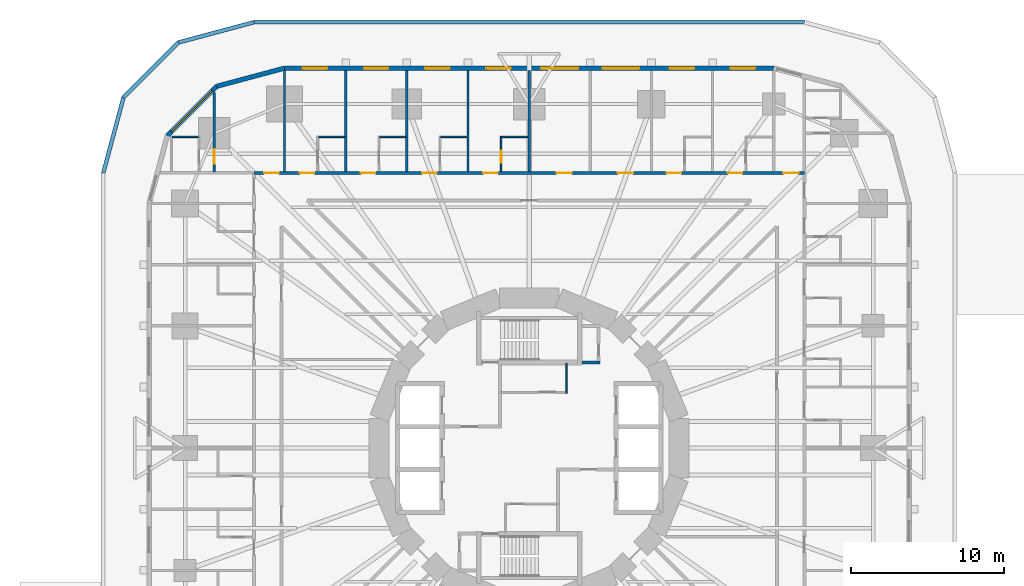
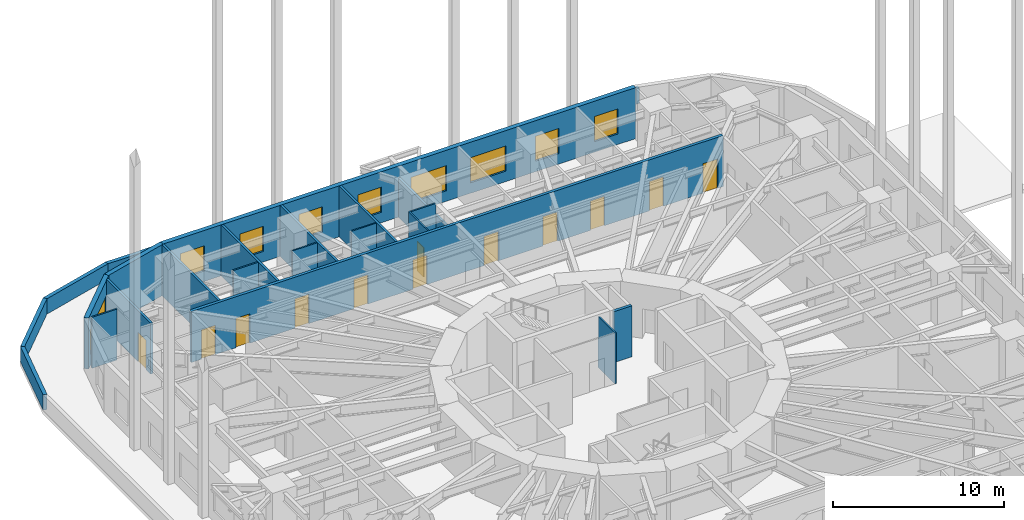
# One storey, part 10 of 13: 22 walls, 12 doors, 9 windows, 21 openings.
"""IFC4 building model written with IfcOpenShell, lengths in metres."""

from ifc_helpers import new_model, si_unit, direction, frame, frame_2d, origin, place, context, subcontext, project, spatial, rectangle, extrude, material, layer, layer_set, type_object, element, fill, save


model = new_model("IFC4")

# Units and contexts
model_context = context("Model", 3, precision=1e-05, world=origin(), true_north=direction((0.0, 1.0)))
body_context = subcontext(model_context, "Body", "Model", "MODEL_VIEW")
ifc_project = project(units=[si_unit("LENGTHUNIT", "METRE"), si_unit("AREAUNIT", "SQUARE_METRE"), si_unit("VOLUMEUNIT", "CUBIC_METRE"), si_unit("PLANEANGLEUNIT", "RADIAN"), si_unit("MASSUNIT", "GRAM", prefix="KILO")], contexts=[model_context])

# Site, building, storey
site_placement = place(None, origin())
site = spatial("IfcSite", under=ifc_project, at=site_placement, CompositionType="ELEMENT")
building_placement = place(site_placement, origin())
building = spatial("IfcBuilding", under=site, at=building_placement, Name="Nakasero Lantern House", CompositionType="ELEMENT")
storey_placement = place(building_placement, frame((0.0, 0.0, 16.0)))
storey = spatial("IfcBuildingStorey", under=building, at=storey_placement, Name="L03", CompositionType="ELEMENT", Elevation=16.0)

# Wall
ifc_material_1 = material(Name="Blockwork", Category="masonry")
ifc_layer_1 = layer(ifc_material_1, 0.10009765625)
ifc_layer_set_1 = layer_set([ifc_layer_1], Name="Core room wall 100")
wall_type_1 = type_object("IfcWallType", Name="Core room wall 100", PredefinedType="PARTITIONING", material=ifc_layer_set_1)
wall_1_placement = place(storey_placement, frame((2.449951171875, 3.60009765625, 0.0), z_axis=(0.0, 0.0, 1.0), x_axis=(0.0, 1.0, 0.0)))
element("IfcWall", 1, at=wall_1_placement, inside=storey, type_object=wall_type_1, Name="Core room wall L03 CR-NEE", PredefinedType="PARTITIONING", context=body_context, shape_type="SweptSolid", body=[
    extrude(rectangle(XDim=1.949951171875, YDim=0.10009765625, at=frame_2d((0.97509765625, 0.0))), origin(), (0.0, 0.0, 1.0), 3.64990234375),
])

# Wall, openings, doors
ifc_material_2 = material(Name="Blockwork", Category="masonry")
ifc_layer_2 = layer(ifc_material_2, 0.199951171875)
ifc_layer_set_2 = layer_set([ifc_layer_2], Name="Corridor wall 200")
wall_type_2 = type_object("IfcWallType", Name="Corridor wall 200", PredefinedType="PARTITIONING", material=ifc_layer_set_2)
wall_2_placement = place(storey_placement, frame((18.0, 18.0, 0.0), z_axis=(0.0, 0.0, 1.0), x_axis=(-1.0, 0.0, 0.0)))
wall_2 = element("IfcWall", 2, at=wall_2_placement, inside=storey, type_object=wall_type_2, Name="Corridor wall L03 CW1", PredefinedType="PARTITIONING", context=body_context, shape_type="SweptSolid", body=[
    extrude(rectangle(XDim=36.0, YDim=0.199951171875, at=frame_2d((18.0, 0.0))), origin(), (0.0, 0.0, 1.0), 3.64990234375),
])
opening_1_placement = place(wall_2_placement, frame((0.375, 0.0, 0.0)))
opening_1 = element("IfcOpeningElement", 3, at=opening_1_placement, cuts=wall_2, Name="Opening D07", PredefinedType="OPENING", context=body_context, shape_type="SweptSolid", body=[
    extrude(rectangle(XDim=1.0, YDim=2.10009765625, at=frame_2d((0.5, 1.050048828125))), frame((0.0, 0.119873046875, 0.0), z_axis=(0.0, -1.0, 0.0), x_axis=(1.0, 0.0, 0.0)), (0.0, 0.0, 1.0), 0.239990234375),
])
opening_2_placement = place(wall_2_placement, frame((4.050048828125, 0.0, 0.0)))
opening_2 = element("IfcOpeningElement", 4, at=opening_2_placement, cuts=wall_2, Name="Opening D01", PredefinedType="OPENING", context=body_context, shape_type="SweptSolid", body=[
    extrude(rectangle(XDim=0.949951171875, YDim=2.10009765625, at=frame_2d((0.47509765625, 1.050048828125))), frame((0.0, 0.119873046875, 0.0), z_axis=(0.0, -1.0, 0.0), x_axis=(1.0, 0.0, 0.0)), (0.0, 0.0, 1.0), 0.239990234375),
])
opening_3_placement = place(wall_2_placement, frame((8.050048828125, 0.0, 0.0)))
opening_3 = element("IfcOpeningElement", 5, at=opening_3_placement, cuts=wall_2, Name="Opening D01", PredefinedType="OPENING", context=body_context, shape_type="SweptSolid", body=[
    extrude(rectangle(XDim=0.949951171875, YDim=2.10009765625, at=frame_2d((0.47509765625, 1.050048828125))), frame((0.0, 0.119873046875, 0.0), z_axis=(0.0, -1.0, 0.0), x_axis=(1.0, 0.0, 0.0)), (0.0, 0.0, 1.0), 0.239990234375),
])
opening_4_placement = place(wall_2_placement, frame((20.050048828125, 0.0, 0.0)))
opening_4 = element("IfcOpeningElement", 6, at=opening_4_placement, cuts=wall_2, Name="Opening D01", PredefinedType="OPENING", context=body_context, shape_type="SweptSolid", body=[
    extrude(rectangle(XDim=0.949951171875, YDim=2.10009765625, at=frame_2d((0.47509765625, 1.050048828125))), frame((0.0, 0.119873046875, 0.0), z_axis=(0.0, -1.0, 0.0), x_axis=(1.0, 0.0, 0.0)), (0.0, 0.0, 1.0), 0.239990234375),
])
opening_5_placement = place(wall_2_placement, frame((24.050048828125, 0.0, 0.0)))
opening_5 = element("IfcOpeningElement", 7, at=opening_5_placement, cuts=wall_2, Name="Opening D01", PredefinedType="OPENING", context=body_context, shape_type="SweptSolid", body=[
    extrude(rectangle(XDim=0.949951171875, YDim=2.10009765625, at=frame_2d((0.47509765625, 1.050048828125))), frame((0.0, 0.119873046875, 0.0), z_axis=(0.0, -1.0, 0.0), x_axis=(1.0, 0.0, 0.0)), (0.0, 0.0, 1.0), 0.239990234375),
])
opening_6_placement = place(wall_2_placement, frame((28.050048828125, 0.0, 0.0)))
opening_6 = element("IfcOpeningElement", 8, at=opening_6_placement, cuts=wall_2, Name="Opening D01", PredefinedType="OPENING", context=body_context, shape_type="SweptSolid", body=[
    extrude(rectangle(XDim=0.949951171875, YDim=2.10009765625, at=frame_2d((0.47509765625, 1.050048828125))), frame((0.0, 0.119873046875, 0.0), z_axis=(0.0, -1.0, 0.0), x_axis=(1.0, 0.0, 0.0)), (0.0, 0.0, 1.0), 0.239990234375),
])
opening_7_placement = place(wall_2_placement, frame((32.050048828125, 0.0, 0.0)))
opening_7 = element("IfcOpeningElement", 9, at=opening_7_placement, cuts=wall_2, Name="Opening D01", PredefinedType="OPENING", context=body_context, shape_type="SweptSolid", body=[
    extrude(rectangle(XDim=0.949951171875, YDim=2.10009765625, at=frame_2d((0.47509765625, 1.050048828125))), frame((0.0, 0.119873046875, 0.0), z_axis=(0.0, -1.0, 0.0), x_axis=(1.0, 0.0, 0.0)), (0.0, 0.0, 1.0), 0.239990234375),
])
opening_8_placement = place(wall_2_placement, frame((34.375, 0.0, 0.0)))
opening_8 = element("IfcOpeningElement", 10, at=opening_8_placement, cuts=wall_2, Name="Opening D01", PredefinedType="OPENING", context=body_context, shape_type="SweptSolid", body=[
    extrude(rectangle(XDim=0.949951171875, YDim=2.10009765625, at=frame_2d((0.47509765625, 1.050048828125))), frame((0.0, 0.119873046875, 0.0), z_axis=(0.0, -1.0, 0.0), x_axis=(1.0, 0.0, 0.0)), (0.0, 0.0, 1.0), 0.239990234375),
])
opening_9_placement = place(wall_2_placement, frame((11.199951171875, 0.0, 0.0)))
opening_9 = element("IfcOpeningElement", 11, at=opening_9_placement, cuts=wall_2, Name="Opening D03", PredefinedType="OPENING", context=body_context, shape_type="SweptSolid", body=[
    extrude(rectangle(XDim=1.0, YDim=2.10009765625, at=frame_2d((0.5, 1.050048828125))), frame((0.0, 0.119873046875, 0.0), z_axis=(0.0, -1.0, 0.0), x_axis=(1.0, 0.0, 0.0)), (0.0, 0.0, 1.0), 0.239990234375),
])
opening_10_placement = place(wall_2_placement, frame((15.199951171875, 0.0, 0.0)))
opening_10 = element("IfcOpeningElement", 12, at=opening_10_placement, cuts=wall_2, Name="Opening D03", PredefinedType="OPENING", context=body_context, shape_type="SweptSolid", body=[
    extrude(rectangle(XDim=1.0, YDim=2.10009765625, at=frame_2d((0.5, 1.050048828125))), frame((0.0, 0.119873046875, 0.0), z_axis=(0.0, -1.0, 0.0), x_axis=(1.0, 0.0, 0.0)), (0.0, 0.0, 1.0), 0.239990234375),
])
ifc_material_3 = material(Name="Timber C24", Category="wood")
door_type_1 = type_object("IfcDoorType", Name="Bedroom door FD30S 950", OperationType="SINGLE_SWING_LEFT", PredefinedType="DOOR", material=ifc_material_3)
door_1_placement = place(opening_2_placement, origin())
door_1 = element("IfcDoor", 13, at=door_1_placement, inside=storey, type_object=door_type_1, Name="Door L03 D1-01", OperationType="SINGLE_SWING_LEFT", OverallHeight=2.10009765625, OverallWidth=0.949951171875, PredefinedType="DOOR", context=body_context, shape_type="SweptSolid", body=[
    extrude(rectangle(XDim=0.949951171875, YDim=2.10009765625, at=frame_2d((0.47509765625, 1.050048828125))), frame((0.0, 0.02490234375, 0.0), z_axis=(0.0, -1.0, 0.0), x_axis=(1.0, 0.0, 0.0)), (0.0, 0.0, 1.0), 0.050048828125),
])
fill(opening_2, door_1)
door_2_placement = place(opening_3_placement, origin())
door_2 = element("IfcDoor", 14, at=door_2_placement, inside=storey, type_object=door_type_1, Name="Door L03 D1-02", OperationType="SINGLE_SWING_LEFT", OverallHeight=2.10009765625, OverallWidth=0.949951171875, PredefinedType="DOOR", context=body_context, shape_type="SweptSolid", body=[
    extrude(rectangle(XDim=0.949951171875, YDim=2.10009765625, at=frame_2d((0.47509765625, 1.050048828125))), frame((0.0, 0.02490234375, 0.0), z_axis=(0.0, -1.0, 0.0), x_axis=(1.0, 0.0, 0.0)), (0.0, 0.0, 1.0), 0.050048828125),
])
fill(opening_3, door_2)
door_3_placement = place(opening_4_placement, origin())
door_3 = element("IfcDoor", 15, at=door_3_placement, inside=storey, type_object=door_type_1, Name="Door L03 D1-05", OperationType="SINGLE_SWING_RIGHT", OverallHeight=2.10009765625, OverallWidth=0.949951171875, PredefinedType="DOOR", context=body_context, shape_type="SweptSolid", body=[
    extrude(rectangle(XDim=0.949951171875, YDim=2.10009765625, at=frame_2d((0.47509765625, 1.050048828125))), frame((0.0, 0.02490234375, 0.0), z_axis=(0.0, -1.0, 0.0), x_axis=(1.0, 0.0, 0.0)), (0.0, 0.0, 1.0), 0.050048828125),
])
fill(opening_4, door_3)
door_4_placement = place(opening_5_placement, origin())
door_4 = element("IfcDoor", 16, at=door_4_placement, inside=storey, type_object=door_type_1, Name="Door L03 D1-06", OperationType="SINGLE_SWING_RIGHT", OverallHeight=2.10009765625, OverallWidth=0.949951171875, PredefinedType="DOOR", context=body_context, shape_type="SweptSolid", body=[
    extrude(rectangle(XDim=0.949951171875, YDim=2.10009765625, at=frame_2d((0.47509765625, 1.050048828125))), frame((0.0, 0.02490234375, 0.0), z_axis=(0.0, -1.0, 0.0), x_axis=(1.0, 0.0, 0.0)), (0.0, 0.0, 1.0), 0.050048828125),
])
fill(opening_5, door_4)
door_5_placement = place(opening_6_placement, origin())
door_5 = element("IfcDoor", 17, at=door_5_placement, inside=storey, type_object=door_type_1, Name="Door L03 D1-07", OperationType="SINGLE_SWING_RIGHT", OverallHeight=2.10009765625, OverallWidth=0.949951171875, PredefinedType="DOOR", context=body_context, shape_type="SweptSolid", body=[
    extrude(rectangle(XDim=0.949951171875, YDim=2.10009765625, at=frame_2d((0.47509765625, 1.050048828125))), frame((0.0, 0.02490234375, 0.0), z_axis=(0.0, -1.0, 0.0), x_axis=(1.0, 0.0, 0.0)), (0.0, 0.0, 1.0), 0.050048828125),
])
fill(opening_6, door_5)
door_6_placement = place(opening_7_placement, origin())
door_6 = element("IfcDoor", 18, at=door_6_placement, inside=storey, type_object=door_type_1, Name="Door L03 D1-08", OperationType="SINGLE_SWING_RIGHT", OverallHeight=2.10009765625, OverallWidth=0.949951171875, PredefinedType="DOOR", context=body_context, shape_type="SweptSolid", body=[
    extrude(rectangle(XDim=0.949951171875, YDim=2.10009765625, at=frame_2d((0.47509765625, 1.050048828125))), frame((0.0, 0.02490234375, 0.0), z_axis=(0.0, -1.0, 0.0), x_axis=(1.0, 0.0, 0.0)), (0.0, 0.0, 1.0), 0.050048828125),
])
fill(opening_7, door_6)
door_7_placement = place(opening_8_placement, origin())
door_7 = element("IfcDoor", 19, at=door_7_placement, inside=storey, type_object=door_type_1, Name="Door L03 D1-09", OperationType="SINGLE_SWING_RIGHT", OverallHeight=2.10009765625, OverallWidth=0.949951171875, PredefinedType="DOOR", context=body_context, shape_type="SweptSolid", body=[
    extrude(rectangle(XDim=0.949951171875, YDim=2.10009765625, at=frame_2d((0.47509765625, 1.050048828125))), frame((0.0, 0.02490234375, 0.0), z_axis=(0.0, -1.0, 0.0), x_axis=(1.0, 0.0, 0.0)), (0.0, 0.0, 1.0), 0.050048828125),
])
fill(opening_8, door_7)
ifc_material_4 = material(Name="Timber C24", Category="wood")
door_type_2 = type_object("IfcDoorType", Name="Lounge door FD30S 1000", OperationType="SINGLE_SWING_LEFT", PredefinedType="DOOR", material=ifc_material_4)
door_8_placement = place(opening_9_placement, origin())
door_8 = element("IfcDoor", 20, at=door_8_placement, inside=storey, type_object=door_type_2, Name="Door L03 DK1", OperationType="SINGLE_SWING_LEFT", OverallHeight=2.10009765625, OverallWidth=1.0, PredefinedType="DOOR", context=body_context, shape_type="SweptSolid", body=[
    extrude(rectangle(XDim=1.0, YDim=2.10009765625, at=frame_2d((0.5, 1.050048828125))), frame((0.0, 0.02490234375, 0.0), z_axis=(0.0, -1.0, 0.0), x_axis=(1.0, 0.0, 0.0)), (0.0, 0.0, 1.0), 0.050048828125),
])
fill(opening_9, door_8)
door_9_placement = place(opening_10_placement, origin())
door_9 = element("IfcDoor", 21, at=door_9_placement, inside=storey, type_object=door_type_2, Name="Door L03 DK1-1", OperationType="SINGLE_SWING_LEFT", OverallHeight=2.10009765625, OverallWidth=1.0, PredefinedType="DOOR", context=body_context, shape_type="SweptSolid", body=[
    extrude(rectangle(XDim=1.0, YDim=2.10009765625, at=frame_2d((0.5, 1.050048828125))), frame((0.0, 0.02490234375, 0.0), z_axis=(0.0, -1.0, 0.0), x_axis=(1.0, 0.0, 0.0)), (0.0, 0.0, 1.0), 0.050048828125),
])
fill(opening_10, door_9)
ifc_material_5 = material(Name="Timber C24", Category="wood")
door_type_3 = type_object("IfcDoorType", Name="Room door FD30S 1000", OperationType="SINGLE_SWING_LEFT", PredefinedType="DOOR", material=ifc_material_5)
door_10_placement = place(opening_1_placement, origin())
door_10 = element("IfcDoor", 22, at=door_10_placement, inside=storey, type_object=door_type_3, Name="Door L03 D1-00", OperationType="SINGLE_SWING_LEFT", OverallHeight=2.10009765625, OverallWidth=1.0, PredefinedType="DOOR", context=body_context, shape_type="SweptSolid", body=[
    extrude(rectangle(XDim=1.0, YDim=2.10009765625, at=frame_2d((0.5, 1.050048828125))), frame((0.0, 0.02490234375, 0.0), z_axis=(0.0, -1.0, 0.0), x_axis=(1.0, 0.0, 0.0)), (0.0, 0.0, 1.0), 0.050048828125),
])
fill(opening_1, door_10)

# Wall, opening, door
ifc_material_6 = material(Name="Blockwork", Category="masonry")
ifc_layer_3 = layer(ifc_material_6, 0.10009765625)
ifc_layer_set_3 = layer_set([ifc_layer_3], Name="En-suite wall 100")
wall_type_3 = type_object("IfcWallType", Name="En-suite wall 100", PredefinedType="PARTITIONING", material=ifc_layer_set_3)
wall_3_placement = place(storey_placement, frame((-1.824951171875, 18.10009765625, 0.0), z_axis=(0.0, 0.0, 1.0), x_axis=(0.0, 1.0, 0.0)))
wall_3 = element("IfcWall", 23, at=wall_3_placement, inside=storey, type_object=wall_type_3, Name="En-suite wall L03 ES1-05", PredefinedType="PARTITIONING", context=body_context, shape_type="SweptSolid", body=[
    extrude(rectangle(XDim=2.2998046875, YDim=0.10009765625, at=frame_2d((1.14990234375, 0.0))), origin(), (0.0, 0.0, 1.0), 3.64990234375),
])
opening_11_placement = place(wall_3_placement, frame((0.550048828125, 0.0, 0.0)))
opening_11 = element("IfcOpeningElement", 24, at=opening_11_placement, cuts=wall_3, Name="Opening D02", PredefinedType="OPENING", context=body_context, shape_type="SweptSolid", body=[
    extrude(rectangle(XDim=0.800048828125, YDim=2.10009765625, at=frame_2d((0.39990234375, 1.050048828125))), frame((0.0, 0.070068359375, 0.0), z_axis=(0.0, -1.0, 0.0), x_axis=(1.0, 0.0, 0.0)), (0.0, 0.0, 1.0), 0.14013671875),
])
ifc_material_7 = material(Name="Timber C24", Category="wood")
door_type_4 = type_object("IfcDoorType", Name="En-suite door 800", OperationType="SINGLE_SWING_RIGHT", PredefinedType="DOOR", material=ifc_material_7)
door_11_placement = place(opening_11_placement, origin())
door_11 = element("IfcDoor", 25, at=door_11_placement, inside=storey, type_object=door_type_4, Name="Door L03 DE1-05", OperationType="SINGLE_SWING_LEFT", OverallHeight=2.10009765625, OverallWidth=0.800048828125, PredefinedType="DOOR", context=body_context, shape_type="SweptSolid", body=[
    extrude(rectangle(XDim=0.800048828125, YDim=2.10009765625, at=frame_2d((0.39990234375, 1.050048828125))), frame((0.0, 0.02490234375, 0.0), z_axis=(0.0, -1.0, 0.0), x_axis=(1.0, 0.0, 0.0)), (0.0, 0.0, 1.0), 0.050048828125),
])
fill(opening_11, door_11)

# Walls
for number, where, z_axis, x_axis, name in (
    (26, (-0.074951171875, 20.35009765625, 0.0), (0.0, 0.0, 1.0), (-1.0, 0.0, 0.0), "En-suite wall L03 EE1-05"),
    (27, (-4.074951171875, 20.35009765625, 0.0), (0.0, 0.0, 1.0), (-1.0, 0.0, 0.0), "En-suite wall L03 EE1-06"),
    (28, (-8.074951171875, 20.35009765625, 0.0), (0.0, 0.0, 1.0), (-1.0, 0.0, 0.0), "En-suite wall L03 EE1-07"),
    (29, (-12.074951171875, 20.35009765625, 0.0), (0.0, 0.0, 1.0), (-1.0, 0.0, 0.0), "En-suite wall L03 EE1-08"),
    (30, (-21.646240234375, 20.35009765625, 0.0), (0.0, 0.0, 1.0), (-1.0, 0.0, 0.0), "En-suite wall L03 EE1-09"),
):
    element("IfcWall", number, at=place(storey_placement, frame(where, z_axis=z_axis, x_axis=x_axis)), inside=storey, type_object=wall_type_3, Name=name, PredefinedType="PARTITIONING", context=body_context, shape_type="SweptSolid", body=[
        extrude(rectangle(XDim=1.699951171875, YDim=0.10009765625, at=frame_2d((0.85009765625, 0.0))), origin(), (0.0, 0.0, 1.0), 3.64990234375),
    ])

# Wall, openings, windows
ifc_material_8 = material(Name="Aluminium rainscreen on blockwork", Category="masonry")
ifc_layer_4 = layer(ifc_material_8, 0.300048828125)
ifc_layer_set_4 = layer_set([ifc_layer_4], Name="Facade wall 300")
wall_type_4 = type_object("IfcWallType", Name="Facade wall 300", PredefinedType="SOLIDWALL", material=ifc_layer_set_4)
wall_4_placement = place(storey_placement, frame((16.0, 24.85009765625, 0.0), z_axis=(0.0, 0.0, 1.0), x_axis=(-1.0, 0.0, 0.0)))
wall_4 = element("IfcWall", 31, at=wall_4_placement, inside=storey, type_object=wall_type_4, Name="Facade wall L03 FW1S", PredefinedType="SOLIDWALL", context=body_context, shape_type="SweptSolid", body=[
    extrude(rectangle(XDim=32.0, YDim=0.300048828125, at=frame_2d((16.0, 0.0))), origin(), (0.0, 0.0, 1.0), 3.64990234375),
])
opening_12_placement = place(wall_4_placement, frame((1.199951171875, 0.0, 0.75)))
opening_12 = element("IfcOpeningElement", 32, at=opening_12_placement, cuts=wall_4, Name="Opening W01", PredefinedType="OPENING", context=body_context, shape_type="SweptSolid", body=[
    extrude(rectangle(XDim=1.60009765625, YDim=1.800048828125, at=frame_2d((0.800048828125, 0.89990234375))), frame((0.0, 0.169921875, 0.0), z_axis=(0.0, -1.0, 0.0), x_axis=(1.0, 0.0, 0.0)), (0.0, 0.0, 1.0), 0.340087890625),
])
opening_13_placement = place(wall_4_placement, frame((5.199951171875, 0.0, 0.75)))
opening_13 = element("IfcOpeningElement", 33, at=opening_13_placement, cuts=wall_4, Name="Opening W01", PredefinedType="OPENING", context=body_context, shape_type="SweptSolid", body=[
    extrude(rectangle(XDim=1.60009765625, YDim=1.800048828125, at=frame_2d((0.800048828125, 0.89990234375))), frame((0.0, 0.169921875, 0.0), z_axis=(0.0, -1.0, 0.0), x_axis=(1.0, 0.0, 0.0)), (0.0, 0.0, 1.0), 0.340087890625),
])
opening_14_placement = place(wall_4_placement, frame((17.199951171875, 0.0, 0.75)))
opening_14 = element("IfcOpeningElement", 34, at=opening_14_placement, cuts=wall_4, Name="Opening W01", PredefinedType="OPENING", context=body_context, shape_type="SweptSolid", body=[
    extrude(rectangle(XDim=1.60009765625, YDim=1.800048828125, at=frame_2d((0.800048828125, 0.89990234375))), frame((0.0, 0.169921875, 0.0), z_axis=(0.0, -1.0, 0.0), x_axis=(1.0, 0.0, 0.0)), (0.0, 0.0, 1.0), 0.340087890625),
])
opening_15_placement = place(wall_4_placement, frame((21.199951171875, 0.0, 0.75)))
opening_15 = element("IfcOpeningElement", 35, at=opening_15_placement, cuts=wall_4, Name="Opening W01", PredefinedType="OPENING", context=body_context, shape_type="SweptSolid", body=[
    extrude(rectangle(XDim=1.60009765625, YDim=1.800048828125, at=frame_2d((0.800048828125, 0.89990234375))), frame((0.0, 0.169921875, 0.0), z_axis=(0.0, -1.0, 0.0), x_axis=(1.0, 0.0, 0.0)), (0.0, 0.0, 1.0), 0.340087890625),
])
opening_16_placement = place(wall_4_placement, frame((25.199951171875, 0.0, 0.75)))
opening_16 = element("IfcOpeningElement", 36, at=opening_16_placement, cuts=wall_4, Name="Opening W01", PredefinedType="OPENING", context=body_context, shape_type="SweptSolid", body=[
    extrude(rectangle(XDim=1.60009765625, YDim=1.800048828125, at=frame_2d((0.800048828125, 0.89990234375))), frame((0.0, 0.169921875, 0.0), z_axis=(0.0, -1.0, 0.0), x_axis=(1.0, 0.0, 0.0)), (0.0, 0.0, 1.0), 0.340087890625),
])
opening_17_placement = place(wall_4_placement, frame((29.199951171875, 0.0, 0.75)))
opening_17 = element("IfcOpeningElement", 37, at=opening_17_placement, cuts=wall_4, Name="Opening W01", PredefinedType="OPENING", context=body_context, shape_type="SweptSolid", body=[
    extrude(rectangle(XDim=1.60009765625, YDim=1.800048828125, at=frame_2d((0.800048828125, 0.89990234375))), frame((0.0, 0.169921875, 0.0), z_axis=(0.0, -1.0, 0.0), x_axis=(1.0, 0.0, 0.0)), (0.0, 0.0, 1.0), 0.340087890625),
])
opening_18_placement = place(wall_4_placement, frame((8.800048828125, 0.0, 0.75)))
opening_18 = element("IfcOpeningElement", 38, at=opening_18_placement, cuts=wall_4, Name="Opening W03", PredefinedType="OPENING", context=body_context, shape_type="SweptSolid", body=[
    extrude(rectangle(XDim=2.39990234375, YDim=1.800048828125, at=frame_2d((1.199951171875, 0.89990234375))), frame((0.0, 0.169921875, 0.0), z_axis=(0.0, -1.0, 0.0), x_axis=(1.0, 0.0, 0.0)), (0.0, 0.0, 1.0), 0.340087890625),
])
opening_19_placement = place(wall_4_placement, frame((12.800048828125, 0.0, 0.75)))
opening_19 = element("IfcOpeningElement", 39, at=opening_19_placement, cuts=wall_4, Name="Opening W03", PredefinedType="OPENING", context=body_context, shape_type="SweptSolid", body=[
    extrude(rectangle(XDim=2.39990234375, YDim=1.800048828125, at=frame_2d((1.199951171875, 0.89990234375))), frame((0.0, 0.169921875, 0.0), z_axis=(0.0, -1.0, 0.0), x_axis=(1.0, 0.0, 0.0)), (0.0, 0.0, 1.0), 0.340087890625),
])
ifc_material_9 = material(Name="Aluminium 6063-T6 and glass", Category="aluminium")
window_type_1 = type_object("IfcWindowType", Name="Bedroom window 1600x1800", PartitioningType="SINGLE_PANEL", PredefinedType="WINDOW", material=ifc_material_9)
window_1_placement = place(opening_12_placement, origin())
window_1 = element("IfcWindow", 40, at=window_1_placement, inside=storey, type_object=window_type_1, Name="Window L03 WN1-01", OverallHeight=1.800048828125, OverallWidth=1.60009765625, PartitioningType="SINGLE_PANEL", PredefinedType="WINDOW", context=body_context, shape_type="SweptSolid", body=[
    extrude(rectangle(XDim=1.60009765625, YDim=1.800048828125, at=frame_2d((0.800048828125, 0.89990234375))), frame((0.0, 0.030029296875, 0.0), z_axis=(0.0, -1.0, 0.0), x_axis=(1.0, 0.0, 0.0)), (0.0, 0.0, 1.0), 0.06005859375),
])
fill(opening_12, window_1)
window_2_placement = place(opening_13_placement, origin())
window_2 = element("IfcWindow", 41, at=window_2_placement, inside=storey, type_object=window_type_1, Name="Window L03 WN1-02", OverallHeight=1.800048828125, OverallWidth=1.60009765625, PartitioningType="SINGLE_PANEL", PredefinedType="WINDOW", context=body_context, shape_type="SweptSolid", body=[
    extrude(rectangle(XDim=1.60009765625, YDim=1.800048828125, at=frame_2d((0.800048828125, 0.89990234375))), frame((0.0, 0.030029296875, 0.0), z_axis=(0.0, -1.0, 0.0), x_axis=(1.0, 0.0, 0.0)), (0.0, 0.0, 1.0), 0.06005859375),
])
fill(opening_13, window_2)
window_3_placement = place(opening_14_placement, origin())
window_3 = element("IfcWindow", 42, at=window_3_placement, inside=storey, type_object=window_type_1, Name="Window L03 WN1-05", OverallHeight=1.800048828125, OverallWidth=1.60009765625, PartitioningType="SINGLE_PANEL", PredefinedType="WINDOW", context=body_context, shape_type="SweptSolid", body=[
    extrude(rectangle(XDim=1.60009765625, YDim=1.800048828125, at=frame_2d((0.800048828125, 0.89990234375))), frame((0.0, 0.030029296875, 0.0), z_axis=(0.0, -1.0, 0.0), x_axis=(1.0, 0.0, 0.0)), (0.0, 0.0, 1.0), 0.06005859375),
])
fill(opening_14, window_3)
window_4_placement = place(opening_15_placement, origin())
window_4 = element("IfcWindow", 43, at=window_4_placement, inside=storey, type_object=window_type_1, Name="Window L03 WN1-06", OverallHeight=1.800048828125, OverallWidth=1.60009765625, PartitioningType="SINGLE_PANEL", PredefinedType="WINDOW", context=body_context, shape_type="SweptSolid", body=[
    extrude(rectangle(XDim=1.60009765625, YDim=1.800048828125, at=frame_2d((0.800048828125, 0.89990234375))), frame((0.0, 0.030029296875, 0.0), z_axis=(0.0, -1.0, 0.0), x_axis=(1.0, 0.0, 0.0)), (0.0, 0.0, 1.0), 0.06005859375),
])
fill(opening_15, window_4)
window_5_placement = place(opening_16_placement, origin())
window_5 = element("IfcWindow", 44, at=window_5_placement, inside=storey, type_object=window_type_1, Name="Window L03 WN1-07", OverallHeight=1.800048828125, OverallWidth=1.60009765625, PartitioningType="SINGLE_PANEL", PredefinedType="WINDOW", context=body_context, shape_type="SweptSolid", body=[
    extrude(rectangle(XDim=1.60009765625, YDim=1.800048828125, at=frame_2d((0.800048828125, 0.89990234375))), frame((0.0, 0.030029296875, 0.0), z_axis=(0.0, -1.0, 0.0), x_axis=(1.0, 0.0, 0.0)), (0.0, 0.0, 1.0), 0.06005859375),
])
fill(opening_16, window_5)
window_6_placement = place(opening_17_placement, origin())
window_6 = element("IfcWindow", 45, at=window_6_placement, inside=storey, type_object=window_type_1, Name="Window L03 WN1-08", OverallHeight=1.800048828125, OverallWidth=1.60009765625, PartitioningType="SINGLE_PANEL", PredefinedType="WINDOW", context=body_context, shape_type="SweptSolid", body=[
    extrude(rectangle(XDim=1.60009765625, YDim=1.800048828125, at=frame_2d((0.800048828125, 0.89990234375))), frame((0.0, 0.030029296875, 0.0), z_axis=(0.0, -1.0, 0.0), x_axis=(1.0, 0.0, 0.0)), (0.0, 0.0, 1.0), 0.06005859375),
])
fill(opening_17, window_6)
ifc_material_10 = material(Name="Aluminium 6063-T6 and glass", Category="aluminium")
window_type_2 = type_object("IfcWindowType", Name="Lounge window 2400x1800", PartitioningType="SINGLE_PANEL", PredefinedType="WINDOW", material=ifc_material_10)
window_7_placement = place(opening_18_placement, origin())
window_7 = element("IfcWindow", 46, at=window_7_placement, inside=storey, type_object=window_type_2, Name="Window L03 WK1", OverallHeight=1.800048828125, OverallWidth=2.39990234375, PartitioningType="SINGLE_PANEL", PredefinedType="WINDOW", context=body_context, shape_type="SweptSolid", body=[
    extrude(rectangle(XDim=2.39990234375, YDim=1.800048828125, at=frame_2d((1.199951171875, 0.89990234375))), frame((0.0, 0.030029296875, 0.0), z_axis=(0.0, -1.0, 0.0), x_axis=(1.0, 0.0, 0.0)), (0.0, 0.0, 1.0), 0.06005859375),
])
fill(opening_18, window_7)
window_8_placement = place(opening_19_placement, origin())
window_8 = element("IfcWindow", 47, at=window_8_placement, inside=storey, type_object=window_type_2, Name="Window L03 WL1", OverallHeight=1.800048828125, OverallWidth=2.39990234375, PartitioningType="SINGLE_PANEL", PredefinedType="WINDOW", context=body_context, shape_type="SweptSolid", body=[
    extrude(rectangle(XDim=2.39990234375, YDim=1.800048828125, at=frame_2d((1.199951171875, 0.89990234375))), frame((0.0, 0.030029296875, 0.0), z_axis=(0.0, -1.0, 0.0), x_axis=(1.0, 0.0, 0.0)), (0.0, 0.0, 1.0), 0.06005859375),
])
fill(opening_19, window_8)

# Wall
wall_5_placement = place(storey_placement, frame((-16.0, 24.85009765625, 0.0), z_axis=(0.0, 0.0, 1.0), x_axis=(-0.965920218567, -0.258839972501, 0.0)))
element("IfcWall", 48, at=wall_5_placement, inside=storey, type_object=wall_type_4, Name="Facade wall L03 FW1C1", PredefinedType="SOLIDWALL", context=body_context, shape_type="SweptSolid", body=[
    extrude(rectangle(XDim=4.5810546875, YDim=0.300048828125, at=frame_2d((2.29052734375, 0.0))), origin(), (0.0, 0.0, 1.0), 3.64990234375),
])

# Wall, opening, window
wall_6_placement = place(storey_placement, frame((-20.425048828125, 23.664306640625, 0.0), z_axis=(0.0, 0.0, 1.0), x_axis=(-0.707106781187, -0.707106781187, 0.0)))
wall_6 = element("IfcWall", 49, at=wall_6_placement, inside=storey, type_object=wall_type_4, Name="Facade wall L03 FW1C2", PredefinedType="SOLIDWALL", context=body_context, shape_type="SweptSolid", body=[
    extrude(rectangle(XDim=4.5810546875, YDim=0.300048828125, at=frame_2d((2.29052734375, 0.0))), origin(), (0.0, 0.0, 1.0), 3.64990234375),
])
opening_20_placement = place(wall_6_placement, frame((0.39990234375, 0.0, 0.75)))
opening_20 = element("IfcOpeningElement", 50, at=opening_20_placement, cuts=wall_6, Name="Opening W237", PredefinedType="OPENING", context=body_context, shape_type="SweptSolid", body=[
    extrude(rectangle(XDim=3.781005859375, YDim=1.800048828125, at=frame_2d((1.890625, 0.89990234375))), frame((0.0, 0.169921875, 0.0), z_axis=(0.0, -1.0, 0.0), x_axis=(1.0, 0.0, 0.0)), (0.0, 0.0, 1.0), 0.340087890625),
])
ifc_material_11 = material(Name="Aluminium 6063-T6 and glass", Category="aluminium")
window_type_3 = type_object("IfcWindowType", Name="Corner window 3781x1800", PartitioningType="SINGLE_PANEL", PredefinedType="WINDOW", material=ifc_material_11)
window_9_placement = place(opening_20_placement, origin())
window_9 = element("IfcWindow", 51, at=window_9_placement, inside=storey, type_object=window_type_3, Name="Window L03 WC1", OverallHeight=1.800048828125, OverallWidth=3.781005859375, PartitioningType="SINGLE_PANEL", PredefinedType="WINDOW", context=body_context, shape_type="SweptSolid", body=[
    extrude(rectangle(XDim=3.781005859375, YDim=1.800048828125, at=frame_2d((1.890625, 0.89990234375))), frame((0.0, 0.030029296875, 0.0), z_axis=(0.0, -1.0, 0.0), x_axis=(1.0, 0.0, 0.0)), (0.0, 0.0, 1.0), 0.06005859375),
])
fill(opening_20, window_9)

# Walls
ifc_material_12 = material(Name="Blockwork", Category="masonry")
ifc_layer_5 = layer(ifc_material_12, 0.199951171875)
ifc_layer_set_5 = layer_set([ifc_layer_5], Name="Fire lobby wall 200")
wall_type_5 = type_object("IfcWallType", Name="Fire lobby wall 200", PredefinedType="PARTITIONING", material=ifc_layer_set_5)
wall_7_placement = place(storey_placement, frame((3.449951171875, 5.60009765625, 0.0), z_axis=(0.0, 0.0, 1.0), x_axis=(1.0, 0.0, 0.0)))
element("IfcWall", 52, at=wall_7_placement, inside=storey, type_object=wall_type_5, Name="Fire lobby wall L03 W-RS1S", PredefinedType="PARTITIONING", context=body_context, shape_type="SweptSolid", body=[
    extrude(rectangle(XDim=1.199951171875, YDim=0.199951171875, at=frame_2d((0.60009765625, 0.0))), origin(), (0.0, 0.0, 1.0), 3.64990234375),
])
ifc_material_13 = material(Name="Concrete C35/45", Category="concrete")
ifc_layer_6 = layer(ifc_material_13, 0.25)
ifc_layer_set_6 = layer_set([ifc_layer_6], Name="Parapet 250")
wall_type_6 = type_object("IfcWallType", Name="Parapet 250", PredefinedType="SOLIDWALL", material=ifc_layer_set_6)
wall_8_placement = place(storey_placement, frame((18.0, 27.85009765625, 0.0), z_axis=(0.0, 0.0, 1.0), x_axis=(-1.0, 0.0, 0.0)))
element("IfcWall", 53, at=wall_8_placement, inside=storey, type_object=wall_type_6, Name="Parapet L03 PP1S", PredefinedType="SOLIDWALL", context=body_context, shape_type="SweptSolid", body=[
    extrude(rectangle(XDim=36.0, YDim=0.25, at=frame_2d((18.0, 0.0))), origin(), (0.0, 0.0, 1.0), 1.10009765625),
])
wall_9_placement = place(storey_placement, frame((-18.0, 27.85009765625, 0.0), z_axis=(0.0, 0.0, 1.0), x_axis=(-0.965917914089, -0.25884857203, 0.0)))
element("IfcWall", 54, at=wall_9_placement, inside=storey, type_object=wall_type_6, Name="Parapet L03 PP1C1", PredefinedType="SOLIDWALL", context=body_context, shape_type="SweptSolid", body=[
    extrude(rectangle(XDim=5.098876953125, YDim=0.25, at=frame_2d((2.54931640625, 0.0))), origin(), (0.0, 0.0, 1.0), 1.10009765625),
])
wall_10_placement = place(storey_placement, frame((-22.925048828125, 26.5302734375, 0.0), z_axis=(0.0, 0.0, 1.0), x_axis=(-0.707106781187, -0.707106781187, 0.0)))
element("IfcWall", 55, at=wall_10_placement, inside=storey, type_object=wall_type_6, Name="Parapet L03 PP1C2", PredefinedType="SOLIDWALL", context=body_context, shape_type="SweptSolid", body=[
    extrude(rectangle(XDim=5.0986328125, YDim=0.25, at=frame_2d((2.54931640625, 0.0))), origin(), (0.0, 0.0, 1.0), 1.10009765625),
])
wall_11_placement = place(storey_placement, frame((-26.5302734375, 22.925048828125, 0.0), z_axis=(0.0, 0.0, 1.0), x_axis=(-0.25884857203, -0.965917914089, 0.0)))
element("IfcWall", 56, at=wall_11_placement, inside=storey, type_object=wall_type_6, Name="Parapet L03 PP1C3", PredefinedType="SOLIDWALL", context=body_context, shape_type="SweptSolid", body=[
    extrude(rectangle(XDim=5.098876953125, YDim=0.25, at=frame_2d((2.54931640625, 0.0))), origin(), (0.0, 0.0, 1.0), 1.10009765625),
])
ifc_material_14 = material(Name="Blockwork", Category="masonry")
ifc_layer_7 = layer(ifc_material_14, 0.14990234375)
ifc_layer_set_7 = layer_set([ifc_layer_7], Name="Party wall 150")
wall_type_7 = type_object("IfcWallType", Name="Party wall 150", PredefinedType="PARTITIONING", material=ifc_layer_set_7)
wall_12_placement = place(storey_placement, frame((0.0, 18.10009765625, 0.0), z_axis=(0.0, 0.0, 1.0), x_axis=(0.0, 1.0, 0.0)))
element("IfcWall", 57, at=wall_12_placement, inside=storey, type_object=wall_type_7, Name="Party wall L03 PW1-05", PredefinedType="PARTITIONING", context=body_context, shape_type="SweptSolid", body=[
    extrude(rectangle(XDim=6.599853515625, YDim=0.14990234375, at=frame_2d((3.2998046875, 0.0))), origin(), (0.0, 0.0, 1.0), 2.809326171875),
])
for number, where, z_axis, x_axis, name in (
    (58, (-4.0, 18.10009765625, 0.0), (0.0, 0.0, 1.0), (0.0, 1.0, 0.0), "Party wall L03 PW1-06"),
    (59, (-8.0, 18.10009765625, 0.0), (0.0, 0.0, 1.0), (0.0, 1.0, 0.0), "Party wall L03 PW1-07"),
    (60, (-12.0, 18.10009765625, 0.0), (0.0, 0.0, 1.0), (0.0, 1.0, 0.0), "Party wall L03 PW1-08"),
):
    element("IfcWall", number, at=place(storey_placement, frame(where, z_axis=z_axis, x_axis=x_axis)), inside=storey, type_object=wall_type_7, Name=name, PredefinedType="PARTITIONING", context=body_context, shape_type="SweptSolid", body=[
        extrude(rectangle(XDim=6.599853515625, YDim=0.14990234375, at=frame_2d((3.2998046875, 0.0))), origin(), (0.0, 0.0, 1.0), 3.64990234375),
    ])
wall_13_placement = place(storey_placement, frame((-16.0, 18.10009765625, 0.0), z_axis=(0.0, 0.0, 1.0), x_axis=(0.0, 1.0, 0.0)))
element("IfcWall", 61, at=wall_13_placement, inside=storey, type_object=wall_type_7, Name="Party wall L03 PW1-09", PredefinedType="PARTITIONING", context=body_context, shape_type="SweptSolid", body=[
    extrude(rectangle(XDim=6.58935546875, YDim=0.14990234375, at=frame_2d((3.294677734375, 0.0))), origin(), (0.0, 0.0, 1.0), 3.64990234375),
])

# Wall, opening, door
wall_14_placement = place(storey_placement, frame((-20.59619140625, 18.06494140625, 0.0), z_axis=(0.0, 0.0, 1.0), x_axis=(0.0, 1.0, 0.0)))
wall_14 = element("IfcWall", 62, at=wall_14_placement, inside=storey, type_object=wall_type_7, Name="Party wall L03 PC1", PredefinedType="PARTITIONING", context=body_context, shape_type="SweptSolid", body=[
    extrude(rectangle(XDim=5.208740234375, YDim=0.14990234375, at=frame_2d((2.6044921875, 0.0))), origin(), (0.0, 0.0, 1.0), 3.64990234375),
])
opening_21_placement = place(wall_14_placement, frame((0.534912109375, 0.0, 0.0)))
opening_21 = element("IfcOpeningElement", 63, at=opening_21_placement, cuts=wall_14, Name="Opening D01", PredefinedType="OPENING", context=body_context, shape_type="SweptSolid", body=[
    extrude(rectangle(XDim=0.949951171875, YDim=2.10009765625, at=frame_2d((0.47509765625, 1.050048828125))), frame((0.0, 0.094970703125, 0.0), z_axis=(0.0, -1.0, 0.0), x_axis=(1.0, 0.0, 0.0)), (0.0, 0.0, 1.0), 0.18994140625),
])
door_12_placement = place(opening_21_placement, origin())
door_12 = element("IfcDoor", 64, at=door_12_placement, inside=storey, type_object=door_type_1, Name="Door L03 DC1", OperationType="SINGLE_SWING_LEFT", OverallHeight=2.10009765625, OverallWidth=0.949951171875, PredefinedType="DOOR", context=body_context, shape_type="SweptSolid", body=[
    extrude(rectangle(XDim=0.949951171875, YDim=2.10009765625, at=frame_2d((0.47509765625, 1.050048828125))), frame((0.0, 0.02490234375, 0.0), z_axis=(0.0, -1.0, 0.0), x_axis=(1.0, 0.0, 0.0)), (0.0, 0.0, 1.0), 0.050048828125),
])
fill(opening_21, door_12)

save(model, "model.ifc")
